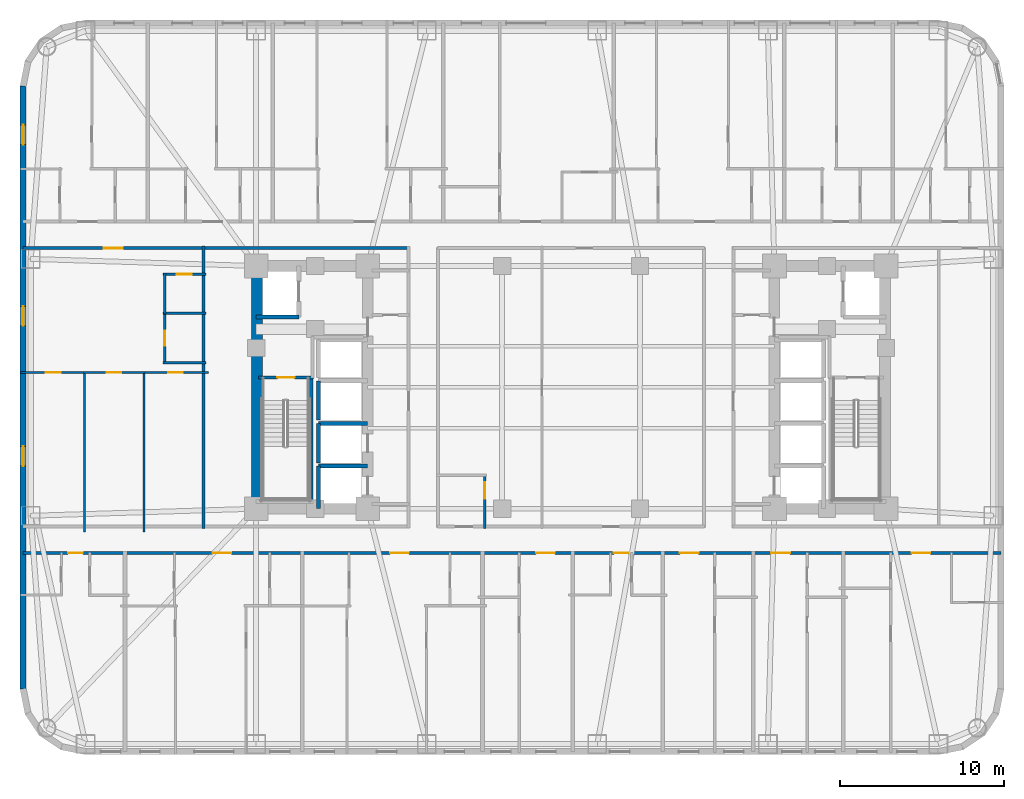
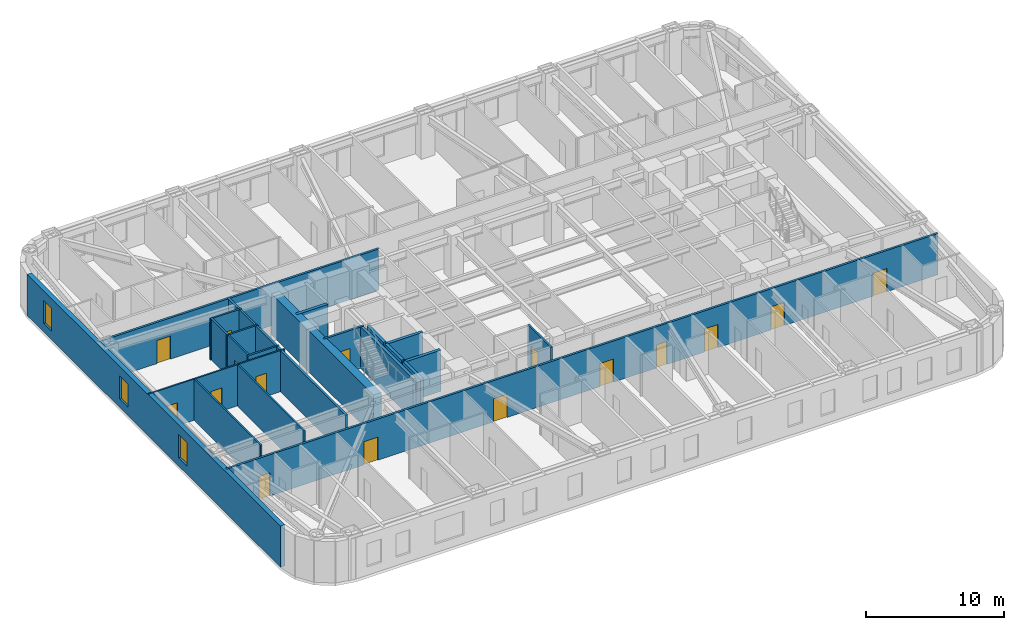
# One storey, part 4 of 11: 24 walls, 16 doors, 3 windows, 19 openings.
"""IFC4 building model written with IfcOpenShell, lengths in metres."""

from ifc_helpers import new_model, si_unit, direction, frame, frame_2d, origin, place, context, subcontext, project, spatial, rectangle, extrude, material, layer, layer_set, type_object, element, fill, save


model = new_model("IFC4")

# Units and contexts
model_context = context("Model", 3, precision=1e-05, world=origin(), true_north=direction((0.0, 1.0)))
body_context = subcontext(model_context, "Body", "Model", "MODEL_VIEW")
ifc_project = project(units=[si_unit("LENGTHUNIT", "METRE"), si_unit("AREAUNIT", "SQUARE_METRE"), si_unit("VOLUMEUNIT", "CUBIC_METRE"), si_unit("PLANEANGLEUNIT", "RADIAN"), si_unit("MASSUNIT", "GRAM", prefix="KILO")], contexts=[model_context])

# Site, building, storey
site_placement = place(None, origin())
site = spatial("IfcSite", under=ifc_project, at=site_placement, CompositionType="ELEMENT")
building_placement = place(site_placement, origin())
building = spatial("IfcBuilding", under=site, at=building_placement, Name="Voryun Gate Residences", CompositionType="ELEMENT")
storey_placement = place(building_placement, frame((0.0, 0.0, 37.699951171875)))
storey = spatial("IfcBuildingStorey", under=building, at=storey_placement, Name="L08", CompositionType="ELEMENT", Elevation=37.699951171875)

# Wall
ifc_material_1 = material(Name="Concrete C60/75", Category="concrete")
ifc_layer_1 = layer(ifc_material_1, 0.64990234375, Name="CW_CORE_650")
ifc_layer_set_1 = layer_set([ifc_layer_1], Name="Concrete C60/75")
wall_type_1 = type_object("IfcWallType", Name="CW_CORE_650", PredefinedType="SHEAR", material=ifc_layer_set_1)
wall_1_placement = place(storey_placement, frame((-19.14501953125, -7.39990234375, 0.0), z_axis=(0.0, 0.0, 1.0), x_axis=(0.0, 1.0, 0.0)))
element("IfcWall", 1, at=wall_1_placement, inside=storey, type_object=wall_type_1, Name="L08 Core shear wall CW-L08-WW", PredefinedType="SHEAR", context=body_context, shape_type="SweptSolid", body=[
    extrude(rectangle(XDim=14.7998046875, YDim=0.64990234375, at=frame_2d((7.39990234375, 0.0))), origin(), (0.0, 0.0, 1.0), 3.650146484375),
])

# Wall, opening, door
ifc_material_2 = material(Name="Gypsum acoustic fireboard")
ifc_layer_2 = layer(ifc_material_2, 0.179931640625, Name="W_CORR_RATED_180")
ifc_layer_set_2 = layer_set([ifc_layer_2], Name="Gypsum acoustic fireboard")
wall_type_2 = type_object("IfcWallType", Name="W_CORR_RATED_180", PredefinedType="PARTITIONING", material=ifc_layer_set_2)
wall_2_placement = place(storey_placement, frame((-19.06005859375, 0.60009765625, 0.0), z_axis=(0.0, 0.0, 1.0), x_axis=(1.0, 0.0, 0.0)))
wall_2 = element("IfcWall", 2, at=wall_2_placement, inside=storey, type_object=wall_type_2, Name="Partition wall WP-L08-STV-W", PredefinedType="PARTITIONING", context=body_context, shape_type="SweptSolid", body=[
    extrude(rectangle(XDim=3.360107421875, YDim=0.179931640625, at=frame_2d((1.68017578125, 0.0))), origin(), (0.0, 0.0, 1.0), 3.650146484375),
])
opening_1_placement = place(wall_2_placement, frame((1.155029296875, 0.0, 0.0)))
opening_1 = element("IfcOpeningElement", 3, at=opening_1_placement, cuts=wall_2, Name="Opening D-FD60-1", PredefinedType="OPENING", context=body_context, shape_type="SweptSolid", body=[
    extrude(rectangle(XDim=1.050048828125, YDim=2.050048828125, at=frame_2d((0.52490234375, 1.02490234375))), frame((0.0, 0.099853515625, 0.0), z_axis=(0.0, -1.0, 0.0), x_axis=(1.0, 0.0, 0.0)), (0.0, 0.0, 1.0), 0.199951171875),
])
ifc_material_3 = material(Name="Painted steel fire door", Category="steel")
door_type_1 = type_object("IfcDoorType", Name="DR_FD60_STAIR_1050", OperationType="NOTDEFINED", PredefinedType="DOOR", material=ifc_material_3)
door_1_placement = place(opening_1_placement, origin())
door_1 = element("IfcDoor", 4, at=door_1_placement, inside=storey, type_object=door_type_1, Name="Door DR-L08-ST-W", OperationType="SINGLE_SWING_LEFT", OverallHeight=2.050048828125, OverallWidth=1.050048828125, PredefinedType="DOOR", context=body_context, shape_type="SweptSolid", body=[
    extrude(rectangle(XDim=1.050048828125, YDim=2.050048828125, at=frame_2d((0.52490234375, 1.02490234375))), frame((0.0, 0.02490234375, 0.0), z_axis=(0.0, -1.0, 0.0), x_axis=(1.0, 0.0, 0.0)), (0.0, 0.0, 1.0), 0.050048828125),
])
fill(opening_1, door_1)

wall_3_placement = place(storey_placement, frame((-33.409912109375, 8.489990234375, 0.0), z_axis=(0.0, 0.0, 1.0), x_axis=(1.0, 0.0, 0.0)))
wall_3 = element("IfcWall", 5, at=wall_3_placement, inside=storey, type_object=wall_type_2, Name="Partition wall WP-L08-CWING-WN", PredefinedType="PARTITIONING", context=body_context, shape_type="SweptSolid", body=[
    extrude(rectangle(XDim=23.530029296875, YDim=0.179931640625, at=frame_2d((11.76513671875, 0.0))), origin(), (0.0, 0.0, 1.0), 3.650146484375),
])
opening_2_placement = place(wall_3_placement, frame((4.91455078125, 0.0, 0.0)))
opening_2 = element("IfcOpeningElement", 6, at=opening_2_placement, cuts=wall_3, Name="Opening D-UNIT-1", PredefinedType="OPENING", context=body_context, shape_type="SweptSolid", body=[
    extrude(rectangle(XDim=1.14990234375, YDim=2.050048828125, at=frame_2d((0.574951171875, 1.02490234375))), frame((0.0, 0.099853515625, 0.0), z_axis=(0.0, -1.0, 0.0), x_axis=(1.0, 0.0, 0.0)), (0.0, 0.0, 1.0), 0.199951171875),
])
ifc_material_4 = material(Name="Armoured timber-clad fire door", Category="wood")
door_type_2 = type_object("IfcDoorType", Name="DR_UNIT_ENTRY_1150", OperationType="NOTDEFINED", PredefinedType="DOOR", material=ifc_material_4)
door_2_placement = place(opening_2_placement, origin())
door_2 = element("IfcDoor", 7, at=door_2_placement, inside=storey, type_object=door_type_2, Name="Door DR-L08-WE1N", OperationType="SINGLE_SWING_LEFT", OverallHeight=2.050048828125, OverallWidth=1.14990234375, PredefinedType="DOOR", context=body_context, shape_type="SweptSolid", body=[
    extrude(rectangle(XDim=1.14990234375, YDim=2.050048828125, at=frame_2d((0.574951171875, 1.02490234375))), frame((0.0, 0.02490234375, 0.0), z_axis=(0.0, -1.0, 0.0), x_axis=(1.0, 0.0, 0.0)), (0.0, 0.0, 1.0), 0.050048828125),
])
fill(opening_2, door_2)

# Wall, openings, doors
wall_4_placement = place(storey_placement, frame((-33.409912109375, -10.10009765625, 0.0), z_axis=(0.0, 0.0, 1.0), x_axis=(1.0, 0.0, 0.0)))
wall_4 = element("IfcWall", 8, at=wall_4_placement, inside=storey, type_object=wall_type_2, Name="Partition wall WP-L08-SCORR", PredefinedType="PARTITIONING", context=body_context, shape_type="SweptSolid", body=[
    extrude(rectangle(XDim=59.619873046875, YDim=0.179931640625, at=frame_2d((29.81005859375, 0.0))), origin(), (0.0, 0.0, 1.0), 3.650146484375),
])
opening_3_placement = place(wall_4_placement, frame((2.74560546875, 0.0, 0.0)))
opening_3 = element("IfcOpeningElement", 9, at=opening_3_placement, cuts=wall_4, Name="Opening D-INT-2", PredefinedType="OPENING", context=body_context, shape_type="SweptSolid", body=[
    extrude(rectangle(XDim=0.89990234375, YDim=2.050048828125, at=frame_2d((0.449951171875, 1.02490234375))), frame((0.0, 0.099853515625, 0.0), z_axis=(0.0, -1.0, 0.0), x_axis=(1.0, 0.0, 0.0)), (0.0, 0.0, 1.0), 0.199951171875),
])
opening_4_placement = place(wall_4_placement, frame((11.5517578125, 0.0, 0.0)))
opening_4 = element("IfcOpeningElement", 10, at=opening_4_placement, cuts=wall_4, Name="Opening D-UNIT-1", PredefinedType="OPENING", context=body_context, shape_type="SweptSolid", body=[
    extrude(rectangle(XDim=1.14990234375, YDim=2.050048828125, at=frame_2d((0.574951171875, 1.02490234375))), frame((0.0, 0.099853515625, 0.0), z_axis=(0.0, -1.0, 0.0), x_axis=(1.0, 0.0, 0.0)), (0.0, 0.0, 1.0), 0.199951171875),
])
opening_5_placement = place(wall_4_placement, frame((22.378662109375, 0.0, 0.0)))
opening_5 = element("IfcOpeningElement", 11, at=opening_5_placement, cuts=wall_4, Name="Opening D-UNIT-1", PredefinedType="OPENING", context=body_context, shape_type="SweptSolid", body=[
    extrude(rectangle(XDim=1.14990234375, YDim=2.050048828125, at=frame_2d((0.574951171875, 1.02490234375))), frame((0.0, 0.099853515625, 0.0), z_axis=(0.0, -1.0, 0.0), x_axis=(1.0, 0.0, 0.0)), (0.0, 0.0, 1.0), 0.199951171875),
])
opening_6_placement = place(wall_4_placement, frame((31.280029296875, 0.0, 0.0)))
opening_6 = element("IfcOpeningElement", 12, at=opening_6_placement, cuts=wall_4, Name="Opening D-UNIT-1", PredefinedType="OPENING", context=body_context, shape_type="SweptSolid", body=[
    extrude(rectangle(XDim=1.14990234375, YDim=2.050048828125, at=frame_2d((0.574951171875, 1.02490234375))), frame((0.0, 0.099853515625, 0.0), z_axis=(0.0, -1.0, 0.0), x_axis=(1.0, 0.0, 0.0)), (0.0, 0.0, 1.0), 0.199951171875),
])
opening_7_placement = place(wall_4_placement, frame((36.01953125, 0.0, 0.0)))
opening_7 = element("IfcOpeningElement", 13, at=opening_7_placement, cuts=wall_4, Name="Opening D-INT-2", PredefinedType="OPENING", context=body_context, shape_type="SweptSolid", body=[
    extrude(rectangle(XDim=0.89990234375, YDim=2.050048828125, at=frame_2d((0.449951171875, 1.02490234375))), frame((0.0, 0.099853515625, 0.0), z_axis=(0.0, -1.0, 0.0), x_axis=(1.0, 0.0, 0.0)), (0.0, 0.0, 1.0), 0.199951171875),
])
opening_8_placement = place(wall_4_placement, frame((40.044189453125, 0.0, 0.0)))
opening_8 = element("IfcOpeningElement", 14, at=opening_8_placement, cuts=wall_4, Name="Opening D-UNIT-1", PredefinedType="OPENING", context=body_context, shape_type="SweptSolid", body=[
    extrude(rectangle(XDim=1.14990234375, YDim=2.050048828125, at=frame_2d((0.574951171875, 1.02490234375))), frame((0.0, 0.099853515625, 0.0), z_axis=(0.0, -1.0, 0.0), x_axis=(1.0, 0.0, 0.0)), (0.0, 0.0, 1.0), 0.199951171875),
])
opening_9_placement = place(wall_4_placement, frame((45.612548828125, 0.0, 0.0)))
opening_9 = element("IfcOpeningElement", 15, at=opening_9_placement, cuts=wall_4, Name="Opening D-UNIT-1", PredefinedType="OPENING", context=body_context, shape_type="SweptSolid", body=[
    extrude(rectangle(XDim=1.14990234375, YDim=2.050048828125, at=frame_2d((0.574951171875, 1.02490234375))), frame((0.0, 0.099853515625, 0.0), z_axis=(0.0, -1.0, 0.0), x_axis=(1.0, 0.0, 0.0)), (0.0, 0.0, 1.0), 0.199951171875),
])
opening_10_placement = place(wall_4_placement, frame((54.174072265625, 0.0, 0.0)))
opening_10 = element("IfcOpeningElement", 16, at=opening_10_placement, cuts=wall_4, Name="Opening D-UNIT-1", PredefinedType="OPENING", context=body_context, shape_type="SweptSolid", body=[
    extrude(rectangle(XDim=1.14990234375, YDim=2.050048828125, at=frame_2d((0.574951171875, 1.02490234375))), frame((0.0, 0.099853515625, 0.0), z_axis=(0.0, -1.0, 0.0), x_axis=(1.0, 0.0, 0.0)), (0.0, 0.0, 1.0), 0.199951171875),
])
ifc_material_5 = material(Name="Architectural oak veneer")
door_type_3 = type_object("IfcDoorType", Name="DR_INT_BATH_900", OperationType="NOTDEFINED", PredefinedType="DOOR", material=ifc_material_5)
door_3_placement = place(opening_3_placement, origin())
door_3 = element("IfcDoor", 17, at=door_3_placement, inside=storey, type_object=door_type_3, Name="Door DR-L08-SENT-1", OperationType="SINGLE_SWING_RIGHT", OverallHeight=2.050048828125, OverallWidth=0.89990234375, PredefinedType="DOOR", context=body_context, shape_type="SweptSolid", body=[
    extrude(rectangle(XDim=0.89990234375, YDim=2.050048828125, at=frame_2d((0.449951171875, 1.02490234375))), frame((0.0, 0.02490234375, 0.0), z_axis=(0.0, -1.0, 0.0), x_axis=(1.0, 0.0, 0.0)), (0.0, 0.0, 1.0), 0.050048828125),
])
fill(opening_3, door_3)
door_4_placement = place(opening_7_placement, origin())
door_4 = element("IfcDoor", 18, at=door_4_placement, inside=storey, type_object=door_type_3, Name="Door DR-L08-SENT-5", OperationType="SINGLE_SWING_RIGHT", OverallHeight=2.050048828125, OverallWidth=0.89990234375, PredefinedType="DOOR", context=body_context, shape_type="SweptSolid", body=[
    extrude(rectangle(XDim=0.89990234375, YDim=2.050048828125, at=frame_2d((0.449951171875, 1.02490234375))), frame((0.0, 0.02490234375, 0.0), z_axis=(0.0, -1.0, 0.0), x_axis=(1.0, 0.0, 0.0)), (0.0, 0.0, 1.0), 0.050048828125),
])
fill(opening_7, door_4)
door_5_placement = place(opening_4_placement, origin())
door_5 = element("IfcDoor", 19, at=door_5_placement, inside=storey, type_object=door_type_2, Name="Door DR-L08-SENT-2", OperationType="SINGLE_SWING_LEFT", OverallHeight=2.050048828125, OverallWidth=1.14990234375, PredefinedType="DOOR", context=body_context, shape_type="SweptSolid", body=[
    extrude(rectangle(XDim=1.14990234375, YDim=2.050048828125, at=frame_2d((0.574951171875, 1.02490234375))), frame((0.0, 0.02490234375, 0.0), z_axis=(0.0, -1.0, 0.0), x_axis=(1.0, 0.0, 0.0)), (0.0, 0.0, 1.0), 0.050048828125),
])
fill(opening_4, door_5)
door_6_placement = place(opening_5_placement, origin())
door_6 = element("IfcDoor", 20, at=door_6_placement, inside=storey, type_object=door_type_2, Name="Door DR-L08-SENT-3", OperationType="SINGLE_SWING_RIGHT", OverallHeight=2.050048828125, OverallWidth=1.14990234375, PredefinedType="DOOR", context=body_context, shape_type="SweptSolid", body=[
    extrude(rectangle(XDim=1.14990234375, YDim=2.050048828125, at=frame_2d((0.574951171875, 1.02490234375))), frame((0.0, 0.02490234375, 0.0), z_axis=(0.0, -1.0, 0.0), x_axis=(1.0, 0.0, 0.0)), (0.0, 0.0, 1.0), 0.050048828125),
])
fill(opening_5, door_6)
door_7_placement = place(opening_6_placement, origin())
door_7 = element("IfcDoor", 21, at=door_7_placement, inside=storey, type_object=door_type_2, Name="Door DR-L08-SENT-4", OperationType="SINGLE_SWING_LEFT", OverallHeight=2.050048828125, OverallWidth=1.14990234375, PredefinedType="DOOR", context=body_context, shape_type="SweptSolid", body=[
    extrude(rectangle(XDim=1.14990234375, YDim=2.050048828125, at=frame_2d((0.574951171875, 1.02490234375))), frame((0.0, 0.02490234375, 0.0), z_axis=(0.0, -1.0, 0.0), x_axis=(1.0, 0.0, 0.0)), (0.0, 0.0, 1.0), 0.050048828125),
])
fill(opening_6, door_7)
door_8_placement = place(opening_8_placement, origin())
door_8 = element("IfcDoor", 22, at=door_8_placement, inside=storey, type_object=door_type_2, Name="Door DR-L08-SENT-6", OperationType="SINGLE_SWING_LEFT", OverallHeight=2.050048828125, OverallWidth=1.14990234375, PredefinedType="DOOR", context=body_context, shape_type="SweptSolid", body=[
    extrude(rectangle(XDim=1.14990234375, YDim=2.050048828125, at=frame_2d((0.574951171875, 1.02490234375))), frame((0.0, 0.02490234375, 0.0), z_axis=(0.0, -1.0, 0.0), x_axis=(1.0, 0.0, 0.0)), (0.0, 0.0, 1.0), 0.050048828125),
])
fill(opening_8, door_8)
door_9_placement = place(opening_9_placement, origin())
door_9 = element("IfcDoor", 23, at=door_9_placement, inside=storey, type_object=door_type_2, Name="Door DR-L08-SENT-7", OperationType="SINGLE_SWING_RIGHT", OverallHeight=2.050048828125, OverallWidth=1.14990234375, PredefinedType="DOOR", context=body_context, shape_type="SweptSolid", body=[
    extrude(rectangle(XDim=1.14990234375, YDim=2.050048828125, at=frame_2d((0.574951171875, 1.02490234375))), frame((0.0, 0.02490234375, 0.0), z_axis=(0.0, -1.0, 0.0), x_axis=(1.0, 0.0, 0.0)), (0.0, 0.0, 1.0), 0.050048828125),
])
fill(opening_9, door_9)
door_10_placement = place(opening_10_placement, origin())
door_10 = element("IfcDoor", 24, at=door_10_placement, inside=storey, type_object=door_type_2, Name="Door DR-L08-SENT-8", OperationType="SINGLE_SWING_LEFT", OverallHeight=2.050048828125, OverallWidth=1.14990234375, PredefinedType="DOOR", context=body_context, shape_type="SweptSolid", body=[
    extrude(rectangle(XDim=1.14990234375, YDim=2.050048828125, at=frame_2d((0.574951171875, 1.02490234375))), frame((0.0, 0.02490234375, 0.0), z_axis=(0.0, -1.0, 0.0), x_axis=(1.0, 0.0, 0.0)), (0.0, 0.0, 1.0), 0.050048828125),
])
fill(opening_10, door_10)

# Wall
wall_5_placement = place(storey_placement, frame((-22.419921875, -8.610107421875, 0.0), z_axis=(0.0, 0.0, 1.0), x_axis=(0.0, 1.0, 0.0)))
element("IfcWall", 25, at=wall_5_placement, inside=storey, type_object=wall_type_2, Name="Partition wall WP-L08-WCOR", PredefinedType="PARTITIONING", context=body_context, shape_type="SweptSolid", body=[
    extrude(rectangle(XDim=17.22021484375, YDim=0.179931640625, at=frame_2d((8.610107421875, 0.0))), origin(), (0.0, 0.0, 1.0), 3.650146484375),
])

# Wall, openings, windows
ifc_material_6 = material(Name="Granite masonry", Category="masonry")
ifc_layer_3 = layer(ifc_material_6, 0.3798828125, Name="W_EXT_GRANITE_380")
ifc_layer_set_3 = layer_set([ifc_layer_3], Name="Granite masonry")
wall_type_3 = type_object("IfcWallType", Name="W_EXT_GRANITE_380", PredefinedType="ELEMENTEDWALL", material=ifc_layer_set_3)
wall_6_placement = place(storey_placement, frame((-33.409912109375, -18.38134765625, 0.0), z_axis=(0.0, 0.0, 1.0), x_axis=(0.0, 1.0, 0.0)))
wall_6 = element("IfcWall", 26, at=wall_6_placement, inside=storey, type_object=wall_type_3, Name="Exterior wall WEXT-L08-06", PredefinedType="ELEMENTEDWALL", context=body_context, shape_type="SweptSolid", body=[
    extrude(rectangle(XDim=36.7626953125, YDim=0.3798828125, at=frame_2d((18.38134765625, 0.0))), origin(), (0.0, 0.0, 1.0), 3.650146484375),
])
opening_11_placement = place(wall_6_placement, frame((33.18701171875, 0.0, 0.75)))
opening_11 = element("IfcOpeningElement", 27, at=opening_11_placement, cuts=wall_6, Name="Opening WN6", PredefinedType="OPENING", context=body_context, shape_type="SweptSolid", body=[
    extrude(rectangle(XDim=1.199951171875, YDim=2.050048828125, at=frame_2d((0.60009765625, 1.02490234375))), frame((0.0, 0.199951171875, 0.0), z_axis=(0.0, -1.0, 0.0), x_axis=(1.0, 0.0, 0.0)), (0.0, 0.0, 1.0), 0.39990234375),
])
opening_12_placement = place(wall_6_placement, frame((22.126220703125, 0.0, 0.75)))
opening_12 = element("IfcOpeningElement", 28, at=opening_12_placement, cuts=wall_6, Name="Opening WN6", PredefinedType="OPENING", context=body_context, shape_type="SweptSolid", body=[
    extrude(rectangle(XDim=1.199951171875, YDim=2.050048828125, at=frame_2d((0.60009765625, 1.02490234375))), frame((0.0, 0.199951171875, 0.0), z_axis=(0.0, -1.0, 0.0), x_axis=(1.0, 0.0, 0.0)), (0.0, 0.0, 1.0), 0.39990234375),
])
opening_13_placement = place(wall_6_placement, frame((13.576416015625, 0.0, 0.75)))
opening_13 = element("IfcOpeningElement", 29, at=opening_13_placement, cuts=wall_6, Name="Opening WN6", PredefinedType="OPENING", context=body_context, shape_type="SweptSolid", body=[
    extrude(rectangle(XDim=1.199951171875, YDim=2.050048828125, at=frame_2d((0.60009765625, 1.02490234375))), frame((0.0, 0.199951171875, 0.0), z_axis=(0.0, -1.0, 0.0), x_axis=(1.0, 0.0, 0.0)), (0.0, 0.0, 1.0), 0.39990234375),
])
ifc_material_7 = material(Name="Laminated low-E glass", Category="glass")
window_type = type_object("IfcWindowType", Name="WN_POD_SLOT_1200", PartitioningType="SINGLE_PANEL", PredefinedType="WINDOW", material=ifc_material_7)
window_1_placement = place(opening_11_placement, origin())
window_1 = element("IfcWindow", 30, at=window_1_placement, inside=storey, type_object=window_type, Name="Window WN-L08-DWFIX-01", OverallHeight=2.050048828125, OverallWidth=1.199951171875, PartitioningType="SINGLE_PANEL", PredefinedType="WINDOW", context=body_context, shape_type="SweptSolid", body=[
    extrude(rectangle(XDim=1.199951171875, YDim=2.050048828125, at=frame_2d((0.60009765625, 1.02490234375))), frame((0.0, 0.030029296875, 0.0), z_axis=(0.0, -1.0, 0.0), x_axis=(1.0, 0.0, 0.0)), (0.0, 0.0, 1.0), 0.06005859375),
])
fill(opening_11, window_1)
window_2_placement = place(opening_12_placement, origin())
window_2 = element("IfcWindow", 31, at=window_2_placement, inside=storey, type_object=window_type, Name="Window WN-L08-DWFIX-30", OverallHeight=2.050048828125, OverallWidth=1.199951171875, PartitioningType="SINGLE_PANEL", PredefinedType="WINDOW", context=body_context, shape_type="SweptSolid", body=[
    extrude(rectangle(XDim=1.199951171875, YDim=2.050048828125, at=frame_2d((0.60009765625, 1.02490234375))), frame((0.0, 0.030029296875, 0.0), z_axis=(0.0, -1.0, 0.0), x_axis=(1.0, 0.0, 0.0)), (0.0, 0.0, 1.0), 0.06005859375),
])
fill(opening_12, window_2)
window_3_placement = place(opening_13_placement, origin())
window_3 = element("IfcWindow", 32, at=window_3_placement, inside=storey, type_object=window_type, Name="Window WN-L08-DWFIX-31", OverallHeight=2.050048828125, OverallWidth=1.199951171875, PartitioningType="SINGLE_PANEL", PredefinedType="WINDOW", context=body_context, shape_type="SweptSolid", body=[
    extrude(rectangle(XDim=1.199951171875, YDim=2.050048828125, at=frame_2d((0.60009765625, 1.02490234375))), frame((0.0, 0.030029296875, 0.0), z_axis=(0.0, -1.0, 0.0), x_axis=(1.0, 0.0, 0.0)), (0.0, 0.0, 1.0), 0.06005859375),
])
fill(opening_13, window_3)

# Walls
ifc_material_8 = material(Name="Concrete C50/60", Category="concrete")
ifc_layer_4 = layer(ifc_material_8, 0.25, Name="W_SHAFT_RC250")
ifc_layer_set_4 = layer_set([ifc_layer_4], Name="Concrete C50/60")
wall_type_4 = type_object("IfcWallType", Name="W_SHAFT_RC250", PredefinedType="SOLIDWALL", material=ifc_layer_set_4)
wall_7_placement = place(storey_placement, frame((-15.860107421875, -7.0849609375, 0.0), z_axis=(0.0, 0.0, 1.0), x_axis=(0.0, 1.0, 0.0)))
element("IfcWall", 33, at=wall_7_placement, inside=storey, type_object=wall_type_4, Name="L08 Stair shaft structural wall W-STR", PredefinedType="SOLIDWALL", context=body_context, shape_type="SweptSolid", body=[
    extrude(rectangle(XDim=7.68505859375, YDim=0.25, at=frame_2d((3.842529296875, 0.0))), origin(), (0.0, 0.0, 1.0), 3.650146484375),
])
wall_8_placement = place(storey_placement, frame((-19.199951171875, 4.300048828125, 0.0), z_axis=(0.0, 0.0, 1.0), x_axis=(1.0, 0.0, 0.0)))
element("IfcWall", 34, at=wall_8_placement, inside=storey, type_object=wall_type_4, Name="Lift shaft wall WSH-L08-EL-FF-W1-S", PredefinedType="SOLIDWALL", context=body_context, shape_type="SweptSolid", body=[
    extrude(rectangle(XDim=2.599853515625, YDim=0.25, at=frame_2d((1.2998046875, 0.0))), origin(), (0.0, 0.0, 1.0), 3.650146484375),
])
wall_9_placement = place(storey_placement, frame((-12.39990234375, -4.800048828125, 0.0), z_axis=(0.0, 0.0, 1.0), x_axis=(-1.0, 0.0, 0.0)))
element("IfcWall", 35, at=wall_9_placement, inside=storey, type_object=wall_type_4, Name="Lift shaft wall WSH-L08-EL-P1-N", PredefinedType="SOLIDWALL", context=body_context, shape_type="SweptSolid", body=[
    extrude(rectangle(XDim=3.0, YDim=0.25, at=frame_2d((1.5, 0.0))), origin(), (0.0, 0.0, 1.0), 3.650146484375),
])
wall_10_placement = place(storey_placement, frame((-15.39990234375, -4.800048828125, 0.0), z_axis=(0.0, 0.0, 1.0), x_axis=(0.0, -1.0, 0.0)))
element("IfcWall", 36, at=wall_10_placement, inside=storey, type_object=wall_type_4, Name="Lift shaft wall WSH-L08-EL-P1-W", PredefinedType="SOLIDWALL", context=body_context, shape_type="SweptSolid", body=[
    extrude(rectangle(XDim=2.599853515625, YDim=0.25, at=frame_2d((1.2998046875, 0.0))), origin(), (0.0, 0.0, 1.0), 3.650146484375),
])
wall_11_placement = place(storey_placement, frame((-12.39990234375, -2.199951171875, 0.0), z_axis=(0.0, 0.0, 1.0), x_axis=(-1.0, 0.0, 0.0)))
element("IfcWall", 37, at=wall_11_placement, inside=storey, type_object=wall_type_4, Name="Lift shaft wall WSH-L08-EL-P2-N", PredefinedType="SOLIDWALL", context=body_context, shape_type="SweptSolid", body=[
    extrude(rectangle(XDim=3.0, YDim=0.25, at=frame_2d((1.5, 0.0))), origin(), (0.0, 0.0, 1.0), 3.650146484375),
])
wall_12_placement = place(storey_placement, frame((-15.39990234375, -2.199951171875, 0.0), z_axis=(0.0, 0.0, 1.0), x_axis=(0.0, -1.0, 0.0)))
element("IfcWall", 38, at=wall_12_placement, inside=storey, type_object=wall_type_4, Name="Lift shaft wall WSH-L08-EL-P2-W", PredefinedType="SOLIDWALL", context=body_context, shape_type="SweptSolid", body=[
    extrude(rectangle(XDim=2.400146484375, YDim=0.25, at=frame_2d((1.2001953125, 0.0))), origin(), (0.0, 0.0, 1.0), 3.650146484375),
])
wall_13_placement = place(storey_placement, frame((-15.39990234375, 0.39990234375, 0.0), z_axis=(0.0, 0.0, 1.0), x_axis=(0.0, -1.0, 0.0)))
element("IfcWall", 39, at=wall_13_placement, inside=storey, type_object=wall_type_4, Name="Lift shaft wall WSH-L08-EL-P4-W", PredefinedType="SOLIDWALL", context=body_context, shape_type="SweptSolid", body=[
    extrude(rectangle(XDim=2.39990234375, YDim=0.25, at=frame_2d((1.199951171875, 0.0))), origin(), (0.0, 0.0, 1.0), 3.650146484375),
])

# Wall, opening, door
ifc_material_9 = material(Name="Gypsum acoustic partition")
ifc_layer_5 = layer(ifc_material_9, 0.125, Name="W_UNIT_PART_125")
ifc_layer_set_5 = layer_set([ifc_layer_5], Name="Gypsum acoustic partition")
wall_type_5 = type_object("IfcWallType", Name="W_UNIT_PART_125", PredefinedType="PARTITIONING", material=ifc_layer_set_5)
wall_14_placement = place(storey_placement, frame((-33.56005859375, 0.909912109375, 0.0), z_axis=(0.0, 0.0, 1.0), x_axis=(1.0, 0.0, 0.0)))
wall_14 = element("IfcWall", 40, at=wall_14_placement, inside=storey, type_object=wall_type_5, Name="Partition wall WP-L08-W1-HZMB1", PredefinedType="PARTITIONING", context=body_context, shape_type="SweptSolid", body=[
    extrude(rectangle(XDim=3.944580078125, YDim=0.125, at=frame_2d((1.97216796875, 0.0))), origin(), (0.0, 0.0, 1.0), 3.650146484375),
])
opening_14_placement = place(wall_14_placement, frame((1.531005859375, 0.0, 0.0)))
opening_14 = element("IfcOpeningElement", 41, at=opening_14_placement, cuts=wall_14, Name="Opening D-INT-2", PredefinedType="OPENING", context=body_context, shape_type="SweptSolid", body=[
    extrude(rectangle(XDim=0.89990234375, YDim=2.050048828125, at=frame_2d((0.449951171875, 1.02490234375))), frame((0.0, 0.072509765625, 0.0), z_axis=(0.0, -1.0, 0.0), x_axis=(1.0, 0.0, 0.0)), (0.0, 0.0, 1.0), 0.14501953125),
])
door_11_placement = place(opening_14_placement, origin())
door_11 = element("IfcDoor", 42, at=door_11_placement, inside=storey, type_object=door_type_3, Name="Door DR-L08-W1-DMB", OperationType="SINGLE_SWING_LEFT", OverallHeight=2.050048828125, OverallWidth=0.89990234375, PredefinedType="DOOR", context=body_context, shape_type="SweptSolid", body=[
    extrude(rectangle(XDim=0.89990234375, YDim=2.050048828125, at=frame_2d((0.449951171875, 1.02490234375))), frame((0.0, 0.02490234375, 0.0), z_axis=(0.0, -1.0, 0.0), x_axis=(1.0, 0.0, 0.0)), (0.0, 0.0, 1.0), 0.050048828125),
])
fill(opening_14, door_11)

wall_15_placement = place(storey_placement, frame((-29.740478515625, 0.909912109375, 0.0), z_axis=(0.0, 0.0, 1.0), x_axis=(1.0, 0.0, 0.0)))
wall_15 = element("IfcWall", 43, at=wall_15_placement, inside=storey, type_object=wall_type_5, Name="Partition wall WP-L08-W1-HZMB2", PredefinedType="PARTITIONING", context=body_context, shape_type="SweptSolid", body=[
    extrude(rectangle(XDim=3.75390625, YDim=0.125, at=frame_2d((1.876953125, 0.0))), origin(), (0.0, 0.0, 1.0), 3.650146484375),
])
opening_15_placement = place(wall_15_placement, frame((1.427001953125, 0.0, 0.0)))
opening_15 = element("IfcOpeningElement", 44, at=opening_15_placement, cuts=wall_15, Name="Opening D-INT-2", PredefinedType="OPENING", context=body_context, shape_type="SweptSolid", body=[
    extrude(rectangle(XDim=0.89990234375, YDim=2.050048828125, at=frame_2d((0.449951171875, 1.02490234375))), frame((0.0, 0.072509765625, 0.0), z_axis=(0.0, -1.0, 0.0), x_axis=(1.0, 0.0, 0.0)), (0.0, 0.0, 1.0), 0.14501953125),
])
door_12_placement = place(opening_15_placement, origin())
door_12 = element("IfcDoor", 45, at=door_12_placement, inside=storey, type_object=door_type_3, Name="Door DR-L08-W1-DBD2", OperationType="SINGLE_SWING_RIGHT", OverallHeight=2.050048828125, OverallWidth=0.89990234375, PredefinedType="DOOR", context=body_context, shape_type="SweptSolid", body=[
    extrude(rectangle(XDim=0.89990234375, YDim=2.050048828125, at=frame_2d((0.449951171875, 1.02490234375))), frame((0.0, 0.02490234375, 0.0), z_axis=(0.0, -1.0, 0.0), x_axis=(1.0, 0.0, 0.0)), (0.0, 0.0, 1.0), 0.050048828125),
])
fill(opening_15, door_12)

wall_16_placement = place(storey_placement, frame((-26.111572265625, 0.909912109375, 0.0), z_axis=(0.0, 0.0, 1.0), x_axis=(1.0, 0.0, 0.0)))
wall_16 = element("IfcWall", 46, at=wall_16_placement, inside=storey, type_object=wall_type_5, Name="Partition wall WP-L08-W1-HZMB3", PredefinedType="PARTITIONING", context=body_context, shape_type="SweptSolid", body=[
    extrude(rectangle(XDim=4.011474609375, YDim=0.125, at=frame_2d((2.005859375, 0.0))), origin(), (0.0, 0.0, 1.0), 3.650146484375),
])
opening_16_placement = place(wall_16_placement, frame((1.547119140625, 0.0, 0.0)))
opening_16 = element("IfcOpeningElement", 47, at=opening_16_placement, cuts=wall_16, Name="Opening D-INT-2", PredefinedType="OPENING", context=body_context, shape_type="SweptSolid", body=[
    extrude(rectangle(XDim=0.89990234375, YDim=2.050048828125, at=frame_2d((0.449951171875, 1.02490234375))), frame((0.0, 0.072509765625, 0.0), z_axis=(0.0, -1.0, 0.0), x_axis=(1.0, 0.0, 0.0)), (0.0, 0.0, 1.0), 0.14501953125),
])
door_13_placement = place(opening_16_placement, origin())
door_13 = element("IfcDoor", 48, at=door_13_placement, inside=storey, type_object=door_type_3, Name="Door DR-L08-W1-DBD3", OperationType="SINGLE_SWING_LEFT", OverallHeight=2.050048828125, OverallWidth=0.89990234375, PredefinedType="DOOR", context=body_context, shape_type="SweptSolid", body=[
    extrude(rectangle(XDim=0.89990234375, YDim=2.050048828125, at=frame_2d((0.449951171875, 1.02490234375))), frame((0.0, 0.02490234375, 0.0), z_axis=(0.0, -1.0, 0.0), x_axis=(1.0, 0.0, 0.0)), (0.0, 0.0, 1.0), 0.050048828125),
])
fill(opening_16, door_13)

# Walls
for number, where, z_axis, x_axis, name in (
    (49, (-26.049072265625, -8.81005859375, 0.0), (0.0, 0.0, 1.0), (0.0, 1.0, 0.0), "Partition wall WP-L08-W1-VMB2"),
    (50, (-29.677978515625, -8.81005859375, 0.0), (0.0, 0.0, 1.0), (0.0, 1.0, 0.0), "Partition wall WP-L08-W1-VMB"),
):
    element("IfcWall", number, at=place(storey_placement, frame(where, z_axis=z_axis, x_axis=x_axis)), inside=storey, type_object=wall_type_5, Name=name, PredefinedType="PARTITIONING", context=body_context, shape_type="SweptSolid", body=[
        extrude(rectangle(XDim=9.780029296875, YDim=0.125, at=frame_2d((4.89013671875, 0.0))), origin(), (0.0, 0.0, 1.0), 3.650146484375),
    ])

# Wall, opening, door
ifc_material_10 = material(Name="Gypsum moisture-resistant partition")
ifc_layer_6 = layer(ifc_material_10, 0.14990234375, Name="W_WET_PLUMB_150")
ifc_layer_set_6 = layer_set([ifc_layer_6], Name="Gypsum moisture-resistant partition")
wall_type_6 = type_object("IfcWallType", Name="W_WET_PLUMB_150", PredefinedType="PLUMBINGWALL", material=ifc_layer_set_6)
wall_17_placement = place(storey_placement, frame((-5.260009765625, -8.6201171875, 0.0), z_axis=(0.0, 0.0, 1.0), x_axis=(0.0, 1.0, 0.0)))
wall_17 = element("IfcWall", 51, at=wall_17_placement, inside=storey, type_object=wall_type_6, Name="Partition wall WP-L08-CMWCX", PredefinedType="PLUMBINGWALL", context=body_context, shape_type="SweptSolid", body=[
    extrude(rectangle(XDim=3.35009765625, YDim=0.14990234375, at=frame_2d((1.675048828125, 0.0))), origin(), (0.0, 0.0, 1.0), 3.650146484375),
])
opening_17_placement = place(wall_17_placement, frame((1.8349609375, 0.0, 0.0)))
opening_17 = element("IfcOpeningElement", 52, at=opening_17_placement, cuts=wall_17, Name="Opening D-AWC-1", PredefinedType="OPENING", context=body_context, shape_type="SweptSolid", body=[
    extrude(rectangle(XDim=1.0, YDim=2.050048828125, at=frame_2d((0.5, 1.02490234375))), frame((0.0, 0.0849609375, 0.0), z_axis=(0.0, -1.0, 0.0), x_axis=(1.0, 0.0, 0.0)), (0.0, 0.0, 1.0), 0.169921875),
])
ifc_material_11 = material(Name="Architectural oak veneer")
door_type_4 = type_object("IfcDoorType", Name="DR_ACC_WC_1000", OperationType="NOTDEFINED", PredefinedType="DOOR", material=ifc_material_11)
door_14_placement = place(opening_17_placement, origin())
door_14 = element("IfcDoor", 53, at=door_14_placement, inside=storey, type_object=door_type_4, Name="Door DR-L08-CMWC", OperationType="SINGLE_SWING_LEFT", OverallHeight=2.050048828125, OverallWidth=1.0, PredefinedType="DOOR", context=body_context, shape_type="SweptSolid", body=[
    extrude(rectangle(XDim=1.0, YDim=2.050048828125, at=frame_2d((0.5, 1.02490234375))), frame((0.0, 0.02490234375, 0.0), z_axis=(0.0, -1.0, 0.0), x_axis=(1.0, 0.0, 0.0)), (0.0, 0.0, 1.0), 0.050048828125),
])
fill(opening_17, door_14)

wall_18_placement = place(storey_placement, frame((-24.889892578125, 6.89990234375, 0.0), z_axis=(0.0, 0.0, 1.0), x_axis=(1.0, 0.0, 0.0)))
wall_18 = element("IfcWall", 54, at=wall_18_placement, inside=storey, type_object=wall_type_6, Name="Partition wall WP-L08-W1-IBT", PredefinedType="PLUMBINGWALL", context=body_context, shape_type="SweptSolid", body=[
    extrude(rectangle(XDim=2.619873046875, YDim=0.14990234375, at=frame_2d((1.31005859375, 0.0))), origin(), (0.0, 0.0, 1.0), 3.650146484375),
])
opening_18_placement = place(wall_18_placement, frame((0.860107421875, 0.0, 0.0)))
opening_18 = element("IfcOpeningElement", 55, at=opening_18_placement, cuts=wall_18, Name="Opening D-INT-2", PredefinedType="OPENING", context=body_context, shape_type="SweptSolid", body=[
    extrude(rectangle(XDim=0.89990234375, YDim=2.050048828125, at=frame_2d((0.449951171875, 1.02490234375))), frame((0.0, 0.0849609375, 0.0), z_axis=(0.0, -1.0, 0.0), x_axis=(1.0, 0.0, 0.0)), (0.0, 0.0, 1.0), 0.169921875),
])
door_15_placement = place(opening_18_placement, origin())
door_15 = element("IfcDoor", 56, at=door_15_placement, inside=storey, type_object=door_type_3, Name="Door DR-L08-W1-DK", OperationType="SINGLE_SWING_LEFT", OverallHeight=2.050048828125, OverallWidth=0.89990234375, PredefinedType="DOOR", context=body_context, shape_type="SweptSolid", body=[
    extrude(rectangle(XDim=0.89990234375, YDim=2.050048828125, at=frame_2d((0.449951171875, 1.02490234375))), frame((0.0, 0.02490234375, 0.0), z_axis=(0.0, -1.0, 0.0), x_axis=(1.0, 0.0, 0.0)), (0.0, 0.0, 1.0), 0.050048828125),
])
fill(opening_18, door_15)

# Walls
for number, where, z_axis, x_axis, name in (
    (57, (-24.889892578125, 4.52001953125, 0.0), (0.0, 0.0, 1.0), (1.0, 0.0, 0.0), "Partition wall WP-L08-W1-IKB"),
    (58, (-24.889892578125, 1.5, 0.0), (0.0, 0.0, 1.0), (1.0, 0.0, 0.0), "Partition wall WP-L08-W1-IBB"),
):
    element("IfcWall", number, at=place(storey_placement, frame(where, z_axis=z_axis, x_axis=x_axis)), inside=storey, type_object=wall_type_6, Name=name, PredefinedType="PLUMBINGWALL", context=body_context, shape_type="SweptSolid", body=[
        extrude(rectangle(XDim=2.619873046875, YDim=0.14990234375, at=frame_2d((1.31005859375, 0.0))), origin(), (0.0, 0.0, 1.0), 3.650146484375),
    ])

# Wall, opening, door
wall_19_placement = place(storey_placement, frame((-24.77001953125, 1.43994140625, 0.0), z_axis=(0.0, 0.0, 1.0), x_axis=(0.0, 1.0, 0.0)))
wall_19 = element("IfcWall", 59, at=wall_19_placement, inside=storey, type_object=wall_type_6, Name="Partition wall WP-L08-W1-VTSK1", PredefinedType="PLUMBINGWALL", context=body_context, shape_type="SweptSolid", body=[
    extrude(rectangle(XDim=3.1201171875, YDim=0.14990234375, at=frame_2d((1.56005859375, 0.0))), origin(), (0.0, 0.0, 1.0), 3.650146484375),
])
opening_19_placement = place(wall_19_placement, frame((1.110107421875, 0.0, 0.0)))
opening_19 = element("IfcOpeningElement", 60, at=opening_19_placement, cuts=wall_19, Name="Opening D-INT-2", PredefinedType="OPENING", context=body_context, shape_type="SweptSolid", body=[
    extrude(rectangle(XDim=0.89990234375, YDim=2.050048828125, at=frame_2d((0.449951171875, 1.02490234375))), frame((0.0, 0.0849609375, 0.0), z_axis=(0.0, -1.0, 0.0), x_axis=(1.0, 0.0, 0.0)), (0.0, 0.0, 1.0), 0.169921875),
])
door_16_placement = place(opening_19_placement, origin())
door_16 = element("IfcDoor", 61, at=door_16_placement, inside=storey, type_object=door_type_3, Name="Door DR-L08-W1-DB", OperationType="SINGLE_SWING_RIGHT", OverallHeight=2.050048828125, OverallWidth=0.89990234375, PredefinedType="DOOR", context=body_context, shape_type="SweptSolid", body=[
    extrude(rectangle(XDim=0.89990234375, YDim=2.050048828125, at=frame_2d((0.449951171875, 1.02490234375))), frame((0.0, 0.02490234375, 0.0), z_axis=(0.0, -1.0, 0.0), x_axis=(1.0, 0.0, 0.0)), (0.0, 0.0, 1.0), 0.050048828125),
])
fill(opening_19, door_16)

# Wall
wall_20_placement = place(storey_placement, frame((-24.77001953125, 4.47998046875, 0.0), z_axis=(0.0, 0.0, 1.0), x_axis=(0.0, 1.0, 0.0)))
element("IfcWall", 62, at=wall_20_placement, inside=storey, type_object=wall_type_6, Name="Partition wall WP-L08-W1-VTSK2", PredefinedType="PLUMBINGWALL", context=body_context, shape_type="SweptSolid", body=[
    extrude(rectangle(XDim=2.47998046875, YDim=0.14990234375, at=frame_2d((1.239990234375, 0.0))), origin(), (0.0, 0.0, 1.0), 3.650146484375),
])

save(model, "model.ifc")
